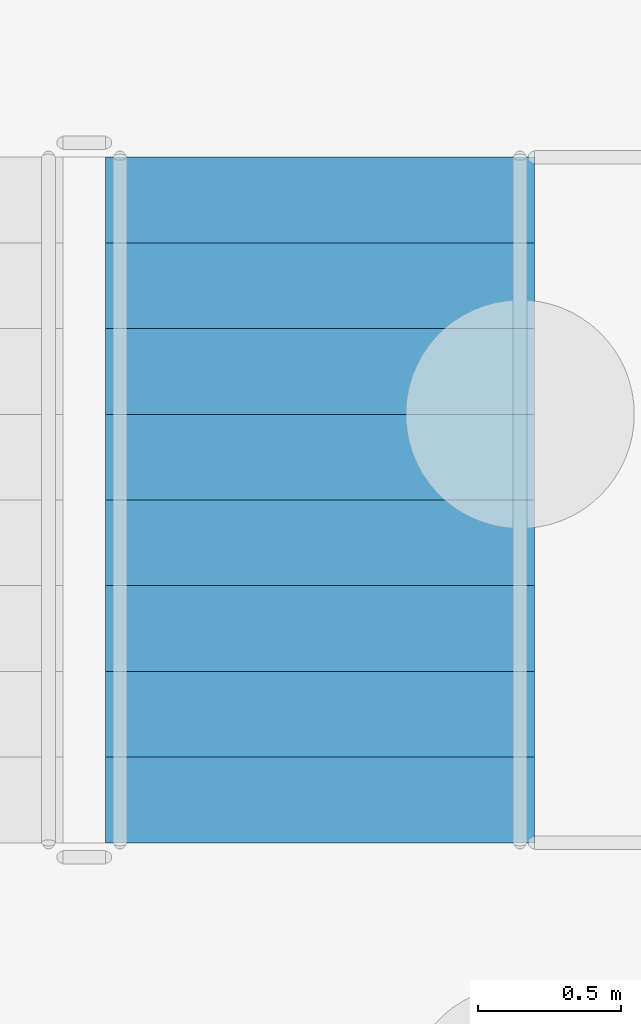
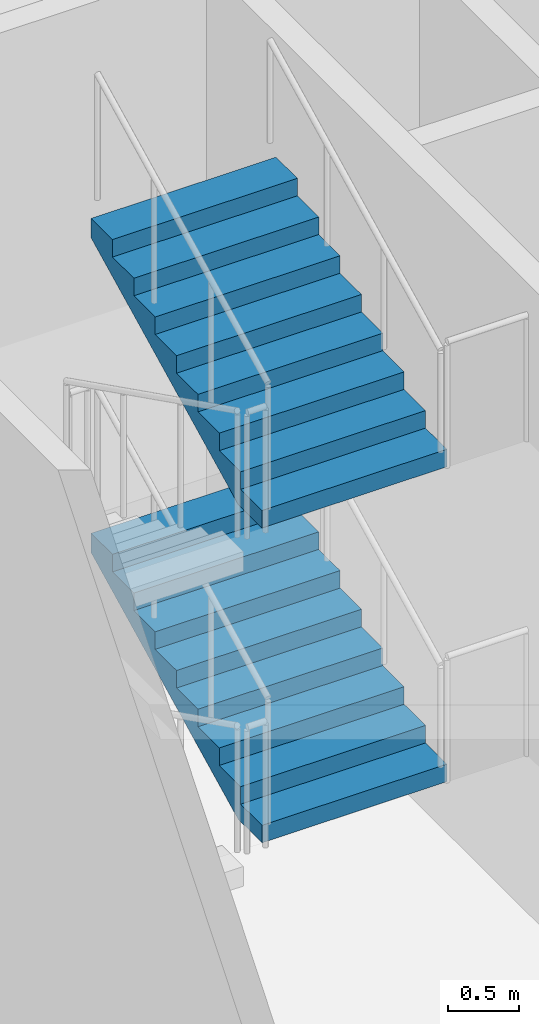
# One storey, part 61 of 129: 2 stair flights, 1 element without a shape of its own.
"""IFC4 building model written with IfcOpenShell, lengths in metres."""

from ifc_helpers import new_model, si_unit, direction, frame, origin, place, context, subcontext, project, spatial, faceted_brep, material, type_object, element, aggregate, save


model = new_model("IFC4")

# Units and contexts
model_context = context("Model", 3, precision=1e-05, world=origin(), true_north=direction((0.0, 1.0)))
body_context = subcontext(model_context, "Body", "Model", "MODEL_VIEW")
ifc_project = project(units=[si_unit("LENGTHUNIT", "METRE"), si_unit("AREAUNIT", "SQUARE_METRE"), si_unit("VOLUMEUNIT", "CUBIC_METRE"), si_unit("PLANEANGLEUNIT", "RADIAN"), si_unit("MASSUNIT", "GRAM", prefix="KILO")], contexts=[model_context])

# Site, building, storey
site_placement = place(None, origin())
site = spatial("IfcSite", under=ifc_project, at=site_placement, CompositionType="ELEMENT")
building_placement = place(site_placement, origin())
building = spatial("IfcBuilding", under=site, at=building_placement, Name="Kiln Court Media Centre", CompositionType="ELEMENT")
storey_placement = place(building_placement, origin())
storey = spatial("IfcBuildingStorey", under=building, at=storey_placement, Name="L00", CompositionType="ELEMENT", Elevation=0.0)

# Stair, stair flights
ifc_material_1 = material(Name="Concrete C40/50", Category="concrete")
stair_type = type_object("IfcStairType", Name="Concrete C40/50 dog-leg stair 1500 wide, 150 riser", PredefinedType="HALF_TURN_STAIR", material=ifc_material_1)
stair_placement = place(storey_placement, origin())
stair = element("IfcStair", 1, at=stair_placement, inside=storey, type_object=stair_type, Name="ST-01 L00", PredefinedType="HALF_TURN_STAIR")
ifc_material_2 = material(Name="Concrete C40/50", Category="concrete")
stair_flight_type = type_object("IfcStairFlightType", Name="Concrete C40/50 stair flight 1500 wide, 150 riser, 300 going", PredefinedType="STRAIGHT", material=ifc_material_2)
stair_flight_1_placement = place(storey_placement, frame((2.60009765625, 4.10009765625, 1.35009765625), z_axis=(0.0, 0.0, 1.0), x_axis=(0.0, 1.0, 0.0)))
stair_flight_1 = element("IfcStairFlight", 2, at=stair_flight_1_placement, type_object=stair_flight_type, Name="L00-ST-5000 flight 5001", NumberOfRisers=9, NumberOfTreads=8, PredefinedType="STRAIGHT", RiserHeight=0.15, TreadLength=0.3, context=body_context, shape_type="Brep", body=[
    faceted_brep([(0.335205078125, -0.75, 0.0), (2.39990234375, -0.75, 1.032470703125), (2.39990234375, -0.75, 1.199951171875), (2.10009765625, -0.75, 1.199951171875), (2.10009765625, -0.75, 1.050048828125), (1.800048828125, -0.75, 1.050048828125), (1.800048828125, -0.75, 0.89990234375), (1.5, -0.75, 0.89990234375), (1.5, -0.75, 0.75), (1.199951171875, -0.75, 0.75), (1.199951171875, -0.75, 0.60009765625), (0.89990234375, -0.75, 0.60009765625), (0.89990234375, -0.75, 0.449951171875), (0.60009765625, -0.75, 0.449951171875), (0.60009765625, -0.75, 0.300048828125), (0.300048828125, -0.75, 0.300048828125), (0.300048828125, -0.75, 0.14990234375), (0.0, -0.75, 0.14990234375), (0.0, -0.75, 0.0), (0.0, 0.75, 0.0), (0.0, 0.75, 0.14990234375), (0.300048828125, 0.75, 0.14990234375), (0.300048828125, 0.75, 0.300048828125), (0.60009765625, 0.75, 0.300048828125), (0.60009765625, 0.75, 0.449951171875), (0.89990234375, 0.75, 0.449951171875), (0.89990234375, 0.75, 0.60009765625), (1.199951171875, 0.75, 0.60009765625), (1.199951171875, 0.75, 0.75), (1.5, 0.75, 0.75), (1.5, 0.75, 0.89990234375), (1.800048828125, 0.75, 0.89990234375), (1.800048828125, 0.75, 1.050048828125), (2.10009765625, 0.75, 1.050048828125), (2.10009765625, 0.75, 1.199951171875), (2.39990234375, 0.75, 1.199951171875), (2.39990234375, 0.75, 1.032470703125), (0.335205078125, 0.75, 0.0), (2.39990234375, 0.10009765625, 1.032470703125), (0.335205078125, 0.10009765625, 0.0), (2.39990234375, 0.080078125, 1.032470703125), (0.335205078125, 0.080078125, 0.0), (2.39990234375, 0.06005859375, 1.032470703125), (0.335205078125, 0.06005859375, 0.0), (2.39990234375, 0.0400390625, 1.032470703125), (0.335205078125, 0.0400390625, 0.0), (2.39990234375, 0.02001953125, 1.032470703125), (0.335205078125, 0.02001953125, 0.0), (2.39990234375, 0.0, 1.032470703125), (0.335205078125, 0.0, 0.0), (2.39990234375, -0.02001953125, 1.032470703125), (0.335205078125, -0.02001953125, 0.0), (2.39990234375, -0.0400390625, 1.032470703125), (0.335205078125, -0.0400390625, 0.0), (2.39990234375, -0.06005859375, 1.032470703125), (0.335205078125, -0.06005859375, 0.0), (2.39990234375, -0.080078125, 1.032470703125), (0.335205078125, -0.080078125, 0.0), (2.39990234375, -0.10009765625, 1.032470703125), (0.335205078125, -0.10009765625, 0.0), (2.39990234375, 0.10009765625, 1.199951171875), (2.39990234375, 0.080078125, 1.199951171875), (2.39990234375, 0.06005859375, 1.199951171875), (2.39990234375, 0.0400390625, 1.199951171875), (2.39990234375, 0.02001953125, 1.199951171875), (2.39990234375, 0.0, 1.199951171875), (2.39990234375, -0.02001953125, 1.199951171875), (2.39990234375, -0.0400390625, 1.199951171875), (2.39990234375, -0.06005859375, 1.199951171875), (2.39990234375, -0.080078125, 1.199951171875), (2.39990234375, -0.10009765625, 1.199951171875), (2.10009765625, 0.10009765625, 1.199951171875), (2.10009765625, 0.080078125, 1.199951171875), (2.10009765625, 0.06005859375, 1.199951171875), (2.10009765625, 0.0400390625, 1.199951171875), (2.10009765625, 0.02001953125, 1.199951171875), (2.10009765625, 0.0, 1.199951171875), (2.10009765625, -0.02001953125, 1.199951171875), (2.10009765625, -0.0400390625, 1.199951171875), (2.10009765625, -0.06005859375, 1.199951171875), (2.10009765625, -0.080078125, 1.199951171875), (2.10009765625, -0.10009765625, 1.199951171875), (2.10009765625, 0.10009765625, 1.050048828125), (2.10009765625, 0.080078125, 1.050048828125), (2.10009765625, 0.06005859375, 1.050048828125), (2.10009765625, 0.0400390625, 1.050048828125), (2.10009765625, 0.02001953125, 1.050048828125), (2.10009765625, 0.0, 1.050048828125), (2.10009765625, -0.02001953125, 1.050048828125), (2.10009765625, -0.0400390625, 1.050048828125), (2.10009765625, -0.06005859375, 1.050048828125), (2.10009765625, -0.080078125, 1.050048828125), (2.10009765625, -0.10009765625, 1.050048828125), (1.800048828125, 0.10009765625, 1.050048828125), (1.800048828125, 0.080078125, 1.050048828125), (1.800048828125, 0.06005859375, 1.050048828125), (1.800048828125, 0.0400390625, 1.050048828125), (1.800048828125, 0.02001953125, 1.050048828125), (1.800048828125, 0.0, 1.050048828125), (1.800048828125, -0.02001953125, 1.050048828125), (1.800048828125, -0.0400390625, 1.050048828125), (1.800048828125, -0.06005859375, 1.050048828125), (1.800048828125, -0.080078125, 1.050048828125), (1.800048828125, -0.10009765625, 1.050048828125), (1.800048828125, 0.10009765625, 0.89990234375), (1.800048828125, 0.080078125, 0.89990234375), (1.800048828125, 0.06005859375, 0.89990234375), (1.800048828125, 0.0400390625, 0.89990234375), (1.800048828125, 0.02001953125, 0.89990234375), (1.800048828125, 0.0, 0.89990234375), (1.800048828125, -0.02001953125, 0.89990234375), (1.800048828125, -0.0400390625, 0.89990234375), (1.800048828125, -0.06005859375, 0.89990234375), (1.800048828125, -0.080078125, 0.89990234375), (1.800048828125, -0.10009765625, 0.89990234375), (1.5, 0.10009765625, 0.89990234375), (1.5, 0.080078125, 0.89990234375), (1.5, 0.06005859375, 0.89990234375), (1.5, 0.0400390625, 0.89990234375), (1.5, 0.02001953125, 0.89990234375), (1.5, 0.0, 0.89990234375), (1.5, -0.02001953125, 0.89990234375), (1.5, -0.0400390625, 0.89990234375), (1.5, -0.06005859375, 0.89990234375), (1.5, -0.080078125, 0.89990234375), (1.5, -0.10009765625, 0.89990234375), (1.5, 0.10009765625, 0.75), (1.5, 0.080078125, 0.75), (1.5, 0.06005859375, 0.75), (1.5, 0.0400390625, 0.75), (1.5, 0.02001953125, 0.75), (1.5, 0.0, 0.75), (1.5, -0.02001953125, 0.75), (1.5, -0.0400390625, 0.75), (1.5, -0.06005859375, 0.75), (1.5, -0.080078125, 0.75), (1.5, -0.10009765625, 0.75), (1.199951171875, 0.10009765625, 0.75), (1.199951171875, 0.080078125, 0.75), (1.199951171875, 0.06005859375, 0.75), (1.199951171875, 0.0400390625, 0.75), (1.199951171875, 0.02001953125, 0.75), (1.199951171875, 0.0, 0.75), (1.199951171875, -0.02001953125, 0.75), (1.199951171875, -0.0400390625, 0.75), (1.199951171875, -0.06005859375, 0.75), (1.199951171875, -0.080078125, 0.75), (1.199951171875, -0.10009765625, 0.75), (1.199951171875, 0.10009765625, 0.60009765625), (1.199951171875, 0.080078125, 0.60009765625), (1.199951171875, 0.06005859375, 0.60009765625), (1.199951171875, 0.0400390625, 0.60009765625), (1.199951171875, 0.02001953125, 0.60009765625), (1.199951171875, 0.0, 0.60009765625), (1.199951171875, -0.02001953125, 0.60009765625), (1.199951171875, -0.0400390625, 0.60009765625), (1.199951171875, -0.06005859375, 0.60009765625), (1.199951171875, -0.080078125, 0.60009765625), (1.199951171875, -0.10009765625, 0.60009765625), (0.89990234375, 0.10009765625, 0.60009765625), (0.89990234375, 0.080078125, 0.60009765625), (0.89990234375, 0.06005859375, 0.60009765625), (0.89990234375, 0.0400390625, 0.60009765625), (0.89990234375, 0.02001953125, 0.60009765625), (0.89990234375, 0.0, 0.60009765625), (0.89990234375, -0.02001953125, 0.60009765625), (0.89990234375, -0.0400390625, 0.60009765625), (0.89990234375, -0.06005859375, 0.60009765625), (0.89990234375, -0.080078125, 0.60009765625), (0.89990234375, -0.10009765625, 0.60009765625), (0.89990234375, 0.10009765625, 0.449951171875), (0.89990234375, 0.080078125, 0.449951171875), (0.89990234375, 0.06005859375, 0.449951171875), (0.89990234375, 0.0400390625, 0.449951171875), (0.89990234375, 0.02001953125, 0.449951171875), (0.89990234375, 0.0, 0.449951171875), (0.89990234375, -0.02001953125, 0.449951171875), (0.89990234375, -0.0400390625, 0.449951171875), (0.89990234375, -0.06005859375, 0.449951171875), (0.89990234375, -0.080078125, 0.449951171875), (0.89990234375, -0.10009765625, 0.449951171875), (0.60009765625, 0.10009765625, 0.449951171875), (0.60009765625, 0.080078125, 0.449951171875), (0.60009765625, 0.06005859375, 0.449951171875), (0.60009765625, 0.0400390625, 0.449951171875), (0.60009765625, 0.02001953125, 0.449951171875), (0.60009765625, 0.0, 0.449951171875), (0.60009765625, -0.02001953125, 0.449951171875), (0.60009765625, -0.0400390625, 0.449951171875), (0.60009765625, -0.06005859375, 0.449951171875), (0.60009765625, -0.080078125, 0.449951171875), (0.60009765625, -0.10009765625, 0.449951171875), (0.60009765625, 0.10009765625, 0.300048828125), (0.60009765625, 0.080078125, 0.300048828125), (0.60009765625, 0.06005859375, 0.300048828125), (0.60009765625, 0.0400390625, 0.300048828125), (0.60009765625, 0.02001953125, 0.300048828125), (0.60009765625, 0.0, 0.300048828125), (0.60009765625, -0.02001953125, 0.300048828125), (0.60009765625, -0.0400390625, 0.300048828125), (0.60009765625, -0.06005859375, 0.300048828125), (0.60009765625, -0.080078125, 0.300048828125), (0.60009765625, -0.10009765625, 0.300048828125), (0.300048828125, 0.10009765625, 0.300048828125), (0.300048828125, 0.080078125, 0.300048828125), (0.300048828125, 0.06005859375, 0.300048828125), (0.300048828125, 0.0400390625, 0.300048828125), (0.300048828125, 0.02001953125, 0.300048828125), (0.300048828125, 0.0, 0.300048828125), (0.300048828125, -0.02001953125, 0.300048828125), (0.300048828125, -0.0400390625, 0.300048828125), (0.300048828125, -0.06005859375, 0.300048828125), (0.300048828125, -0.080078125, 0.300048828125), (0.300048828125, -0.10009765625, 0.300048828125), (0.300048828125, 0.10009765625, 0.14990234375), (0.300048828125, 0.080078125, 0.14990234375), (0.300048828125, 0.06005859375, 0.14990234375), (0.300048828125, 0.0400390625, 0.14990234375), (0.300048828125, 0.02001953125, 0.14990234375), (0.300048828125, 0.0, 0.14990234375), (0.300048828125, -0.02001953125, 0.14990234375), (0.300048828125, -0.0400390625, 0.14990234375), (0.300048828125, -0.06005859375, 0.14990234375), (0.300048828125, -0.080078125, 0.14990234375), (0.300048828125, -0.10009765625, 0.14990234375), (0.0, 0.10009765625, 0.14990234375), (0.0, 0.080078125, 0.14990234375), (0.0, 0.06005859375, 0.14990234375), (0.0, 0.0400390625, 0.14990234375), (0.0, 0.02001953125, 0.14990234375), (0.0, 0.0, 0.14990234375), (0.0, -0.02001953125, 0.14990234375), (0.0, -0.0400390625, 0.14990234375), (0.0, -0.06005859375, 0.14990234375), (0.0, -0.080078125, 0.14990234375), (0.0, -0.10009765625, 0.14990234375), (0.0, 0.10009765625, 0.0), (0.0, 0.080078125, 0.0), (0.0, 0.06005859375, 0.0), (0.0, 0.0400390625, 0.0), (0.0, 0.02001953125, 0.0), (0.0, 0.0, 0.0), (0.0, -0.02001953125, 0.0), (0.0, -0.0400390625, 0.0), (0.0, -0.06005859375, 0.0), (0.0, -0.080078125, 0.0), (0.0, -0.10009765625, 0.0)], [[[0, 1, 2, 3, 4, 5, 6, 7, 8, 9, 10, 11, 12, 13, 14, 15, 16, 17, 18]], [[19, 20, 21, 22, 23, 24, 25, 26, 27, 28, 29, 30, 31, 32, 33, 34, 35, 36, 37]], [[37, 36, 38, 39]], [[39, 38, 40, 41]], [[41, 40, 42, 43]], [[43, 42, 44, 45]], [[45, 44, 46, 47]], [[47, 46, 48, 49]], [[49, 48, 50, 51]], [[51, 50, 52, 53]], [[53, 52, 54, 55]], [[55, 54, 56, 57]], [[57, 56, 58, 59]], [[59, 58, 1, 0]], [[36, 35, 60, 38]], [[38, 60, 61, 40]], [[40, 61, 62, 42]], [[42, 62, 63, 44]], [[44, 63, 64, 46]], [[46, 64, 65, 48]], [[48, 65, 66, 50]], [[50, 66, 67, 52]], [[52, 67, 68, 54]], [[54, 68, 69, 56]], [[56, 69, 70, 58]], [[58, 70, 2, 1]], [[35, 34, 71, 60]], [[60, 71, 72, 61]], [[61, 72, 73, 62]], [[62, 73, 74, 63]], [[63, 74, 75, 64]], [[64, 75, 76, 65]], [[65, 76, 77, 66]], [[66, 77, 78, 67]], [[67, 78, 79, 68]], [[68, 79, 80, 69]], [[69, 80, 81, 70]], [[70, 81, 3, 2]], [[34, 33, 82, 71]], [[71, 82, 83, 72]], [[72, 83, 84, 73]], [[73, 84, 85, 74]], [[74, 85, 86, 75]], [[75, 86, 87, 76]], [[76, 87, 88, 77]], [[77, 88, 89, 78]], [[78, 89, 90, 79]], [[79, 90, 91, 80]], [[80, 91, 92, 81]], [[81, 92, 4, 3]], [[33, 32, 93, 82]], [[82, 93, 94, 83]], [[83, 94, 95, 84]], [[84, 95, 96, 85]], [[85, 96, 97, 86]], [[86, 97, 98, 87]], [[87, 98, 99, 88]], [[88, 99, 100, 89]], [[89, 100, 101, 90]], [[90, 101, 102, 91]], [[91, 102, 103, 92]], [[92, 103, 5, 4]], [[32, 31, 104, 93]], [[93, 104, 105, 94]], [[94, 105, 106, 95]], [[95, 106, 107, 96]], [[96, 107, 108, 97]], [[97, 108, 109, 98]], [[98, 109, 110, 99]], [[99, 110, 111, 100]], [[100, 111, 112, 101]], [[101, 112, 113, 102]], [[102, 113, 114, 103]], [[103, 114, 6, 5]], [[31, 30, 115, 104]], [[104, 115, 116, 105]], [[105, 116, 117, 106]], [[106, 117, 118, 107]], [[107, 118, 119, 108]], [[108, 119, 120, 109]], [[109, 120, 121, 110]], [[110, 121, 122, 111]], [[111, 122, 123, 112]], [[112, 123, 124, 113]], [[113, 124, 125, 114]], [[114, 125, 7, 6]], [[30, 29, 126, 115]], [[115, 126, 127, 116]], [[116, 127, 128, 117]], [[117, 128, 129, 118]], [[118, 129, 130, 119]], [[119, 130, 131, 120]], [[120, 131, 132, 121]], [[121, 132, 133, 122]], [[122, 133, 134, 123]], [[123, 134, 135, 124]], [[124, 135, 136, 125]], [[125, 136, 8, 7]], [[29, 28, 137, 126]], [[126, 137, 138, 127]], [[127, 138, 139, 128]], [[128, 139, 140, 129]], [[129, 140, 141, 130]], [[130, 141, 142, 131]], [[131, 142, 143, 132]], [[132, 143, 144, 133]], [[133, 144, 145, 134]], [[134, 145, 146, 135]], [[135, 146, 147, 136]], [[136, 147, 9, 8]], [[28, 27, 148, 137]], [[137, 148, 149, 138]], [[138, 149, 150, 139]], [[139, 150, 151, 140]], [[140, 151, 152, 141]], [[141, 152, 153, 142]], [[142, 153, 154, 143]], [[143, 154, 155, 144]], [[144, 155, 156, 145]], [[145, 156, 157, 146]], [[146, 157, 158, 147]], [[147, 158, 10, 9]], [[27, 26, 159, 148]], [[148, 159, 160, 149]], [[149, 160, 161, 150]], [[150, 161, 162, 151]], [[151, 162, 163, 152]], [[152, 163, 164, 153]], [[153, 164, 165, 154]], [[154, 165, 166, 155]], [[155, 166, 167, 156]], [[156, 167, 168, 157]], [[157, 168, 169, 158]], [[158, 169, 11, 10]], [[26, 25, 170, 159]], [[159, 170, 171, 160]], [[160, 171, 172, 161]], [[161, 172, 173, 162]], [[162, 173, 174, 163]], [[163, 174, 175, 164]], [[164, 175, 176, 165]], [[165, 176, 177, 166]], [[166, 177, 178, 167]], [[167, 178, 179, 168]], [[168, 179, 180, 169]], [[169, 180, 12, 11]], [[25, 24, 181, 170]], [[170, 181, 182, 171]], [[171, 182, 183, 172]], [[172, 183, 184, 173]], [[173, 184, 185, 174]], [[174, 185, 186, 175]], [[175, 186, 187, 176]], [[176, 187, 188, 177]], [[177, 188, 189, 178]], [[178, 189, 190, 179]], [[179, 190, 191, 180]], [[180, 191, 13, 12]], [[24, 23, 192, 181]], [[181, 192, 193, 182]], [[182, 193, 194, 183]], [[183, 194, 195, 184]], [[184, 195, 196, 185]], [[185, 196, 197, 186]], [[186, 197, 198, 187]], [[187, 198, 199, 188]], [[188, 199, 200, 189]], [[189, 200, 201, 190]], [[190, 201, 202, 191]], [[191, 202, 14, 13]], [[23, 22, 203, 192]], [[192, 203, 204, 193]], [[193, 204, 205, 194]], [[194, 205, 206, 195]], [[195, 206, 207, 196]], [[196, 207, 208, 197]], [[197, 208, 209, 198]], [[198, 209, 210, 199]], [[199, 210, 211, 200]], [[200, 211, 212, 201]], [[201, 212, 213, 202]], [[202, 213, 15, 14]], [[22, 21, 214, 203]], [[203, 214, 215, 204]], [[204, 215, 216, 205]], [[205, 216, 217, 206]], [[206, 217, 218, 207]], [[207, 218, 219, 208]], [[208, 219, 220, 209]], [[209, 220, 221, 210]], [[210, 221, 222, 211]], [[211, 222, 223, 212]], [[212, 223, 224, 213]], [[213, 224, 16, 15]], [[21, 20, 225, 214]], [[214, 225, 226, 215]], [[215, 226, 227, 216]], [[216, 227, 228, 217]], [[217, 228, 229, 218]], [[218, 229, 230, 219]], [[219, 230, 231, 220]], [[220, 231, 232, 221]], [[221, 232, 233, 222]], [[222, 233, 234, 223]], [[223, 234, 235, 224]], [[224, 235, 17, 16]], [[20, 19, 236, 225]], [[225, 236, 237, 226]], [[226, 237, 238, 227]], [[227, 238, 239, 228]], [[228, 239, 240, 229]], [[229, 240, 241, 230]], [[230, 241, 242, 231]], [[231, 242, 243, 232]], [[232, 243, 244, 233]], [[233, 244, 245, 234]], [[234, 245, 246, 235]], [[235, 246, 18, 17]], [[19, 37, 39, 236]], [[236, 39, 41, 237]], [[237, 41, 43, 238]], [[238, 43, 45, 239]], [[239, 45, 47, 240]], [[240, 47, 49, 241]], [[241, 49, 51, 242]], [[242, 51, 53, 243]], [[243, 53, 55, 244]], [[244, 55, 57, 245]], [[245, 57, 59, 246]], [[246, 59, 0, 18]]]),
])
stair_flight_2_placement = place(storey_placement, frame((2.60009765625, 4.10009765625, 4.050048828125), z_axis=(0.0, 0.0, 1.0), x_axis=(0.0, 1.0, 0.0)))
stair_flight_2 = element("IfcStairFlight", 3, at=stair_flight_2_placement, type_object=stair_flight_type, Name="L00-ST-5000 flight 5003", NumberOfRisers=9, NumberOfTreads=8, PredefinedType="STRAIGHT", RiserHeight=0.15, TreadLength=0.3, context=body_context, shape_type="Brep", body=[
    faceted_brep([(0.335205078125, -0.75, 0.0), (2.39990234375, -0.75, 1.032470703125), (2.39990234375, -0.75, 1.199951171875), (2.10009765625, -0.75, 1.199951171875), (2.10009765625, -0.75, 1.050048828125), (1.800048828125, -0.75, 1.050048828125), (1.800048828125, -0.75, 0.89990234375), (1.5, -0.75, 0.89990234375), (1.5, -0.75, 0.75), (1.199951171875, -0.75, 0.75), (1.199951171875, -0.75, 0.60009765625), (0.89990234375, -0.75, 0.60009765625), (0.89990234375, -0.75, 0.449951171875), (0.60009765625, -0.75, 0.449951171875), (0.60009765625, -0.75, 0.300048828125), (0.300048828125, -0.75, 0.300048828125), (0.300048828125, -0.75, 0.14990234375), (0.0, -0.75, 0.14990234375), (0.0, -0.75, 0.0), (0.0, 0.75, 0.0), (0.0, 0.75, 0.14990234375), (0.300048828125, 0.75, 0.14990234375), (0.300048828125, 0.75, 0.300048828125), (0.60009765625, 0.75, 0.300048828125), (0.60009765625, 0.75, 0.449951171875), (0.89990234375, 0.75, 0.449951171875), (0.89990234375, 0.75, 0.60009765625), (1.199951171875, 0.75, 0.60009765625), (1.199951171875, 0.75, 0.75), (1.5, 0.75, 0.75), (1.5, 0.75, 0.89990234375), (1.800048828125, 0.75, 0.89990234375), (1.800048828125, 0.75, 1.050048828125), (2.10009765625, 0.75, 1.050048828125), (2.10009765625, 0.75, 1.199951171875), (2.39990234375, 0.75, 1.199951171875), (2.39990234375, 0.75, 1.032470703125), (0.335205078125, 0.75, 0.0), (2.39990234375, 0.10009765625, 1.032470703125), (0.335205078125, 0.10009765625, 0.0), (2.39990234375, 0.080078125, 1.032470703125), (0.335205078125, 0.080078125, 0.0), (2.39990234375, 0.06005859375, 1.032470703125), (0.335205078125, 0.06005859375, 0.0), (2.39990234375, 0.0400390625, 1.032470703125), (0.335205078125, 0.0400390625, 0.0), (2.39990234375, 0.02001953125, 1.032470703125), (0.335205078125, 0.02001953125, 0.0), (2.39990234375, 0.0, 1.032470703125), (0.335205078125, 0.0, 0.0), (2.39990234375, -0.02001953125, 1.032470703125), (0.335205078125, -0.02001953125, 0.0), (2.39990234375, -0.0400390625, 1.032470703125), (0.335205078125, -0.0400390625, 0.0), (2.39990234375, -0.06005859375, 1.032470703125), (0.335205078125, -0.06005859375, 0.0), (2.39990234375, -0.080078125, 1.032470703125), (0.335205078125, -0.080078125, 0.0), (2.39990234375, -0.10009765625, 1.032470703125), (0.335205078125, -0.10009765625, 0.0), (2.39990234375, 0.10009765625, 1.199951171875), (2.39990234375, 0.080078125, 1.199951171875), (2.39990234375, 0.06005859375, 1.199951171875), (2.39990234375, 0.0400390625, 1.199951171875), (2.39990234375, 0.02001953125, 1.199951171875), (2.39990234375, 0.0, 1.199951171875), (2.39990234375, -0.02001953125, 1.199951171875), (2.39990234375, -0.0400390625, 1.199951171875), (2.39990234375, -0.06005859375, 1.199951171875), (2.39990234375, -0.080078125, 1.199951171875), (2.39990234375, -0.10009765625, 1.199951171875), (2.10009765625, 0.10009765625, 1.199951171875), (2.10009765625, 0.080078125, 1.199951171875), (2.10009765625, 0.06005859375, 1.199951171875), (2.10009765625, 0.0400390625, 1.199951171875), (2.10009765625, 0.02001953125, 1.199951171875), (2.10009765625, 0.0, 1.199951171875), (2.10009765625, -0.02001953125, 1.199951171875), (2.10009765625, -0.0400390625, 1.199951171875), (2.10009765625, -0.06005859375, 1.199951171875), (2.10009765625, -0.080078125, 1.199951171875), (2.10009765625, -0.10009765625, 1.199951171875), (2.10009765625, 0.10009765625, 1.050048828125), (2.10009765625, 0.080078125, 1.050048828125), (2.10009765625, 0.06005859375, 1.050048828125), (2.10009765625, 0.0400390625, 1.050048828125), (2.10009765625, 0.02001953125, 1.050048828125), (2.10009765625, 0.0, 1.050048828125), (2.10009765625, -0.02001953125, 1.050048828125), (2.10009765625, -0.0400390625, 1.050048828125), (2.10009765625, -0.06005859375, 1.050048828125), (2.10009765625, -0.080078125, 1.050048828125), (2.10009765625, -0.10009765625, 1.050048828125), (1.800048828125, 0.10009765625, 1.050048828125), (1.800048828125, 0.080078125, 1.050048828125), (1.800048828125, 0.06005859375, 1.050048828125), (1.800048828125, 0.0400390625, 1.050048828125), (1.800048828125, 0.02001953125, 1.050048828125), (1.800048828125, 0.0, 1.050048828125), (1.800048828125, -0.02001953125, 1.050048828125), (1.800048828125, -0.0400390625, 1.050048828125), (1.800048828125, -0.06005859375, 1.050048828125), (1.800048828125, -0.080078125, 1.050048828125), (1.800048828125, -0.10009765625, 1.050048828125), (1.800048828125, 0.10009765625, 0.89990234375), (1.800048828125, 0.080078125, 0.89990234375), (1.800048828125, 0.06005859375, 0.89990234375), (1.800048828125, 0.0400390625, 0.89990234375), (1.800048828125, 0.02001953125, 0.89990234375), (1.800048828125, 0.0, 0.89990234375), (1.800048828125, -0.02001953125, 0.89990234375), (1.800048828125, -0.0400390625, 0.89990234375), (1.800048828125, -0.06005859375, 0.89990234375), (1.800048828125, -0.080078125, 0.89990234375), (1.800048828125, -0.10009765625, 0.89990234375), (1.5, 0.10009765625, 0.89990234375), (1.5, 0.080078125, 0.89990234375), (1.5, 0.06005859375, 0.89990234375), (1.5, 0.0400390625, 0.89990234375), (1.5, 0.02001953125, 0.89990234375), (1.5, 0.0, 0.89990234375), (1.5, -0.02001953125, 0.89990234375), (1.5, -0.0400390625, 0.89990234375), (1.5, -0.06005859375, 0.89990234375), (1.5, -0.080078125, 0.89990234375), (1.5, -0.10009765625, 0.89990234375), (1.5, 0.10009765625, 0.75), (1.5, 0.080078125, 0.75), (1.5, 0.06005859375, 0.75), (1.5, 0.0400390625, 0.75), (1.5, 0.02001953125, 0.75), (1.5, 0.0, 0.75), (1.5, -0.02001953125, 0.75), (1.5, -0.0400390625, 0.75), (1.5, -0.06005859375, 0.75), (1.5, -0.080078125, 0.75), (1.5, -0.10009765625, 0.75), (1.199951171875, 0.10009765625, 0.75), (1.199951171875, 0.080078125, 0.75), (1.199951171875, 0.06005859375, 0.75), (1.199951171875, 0.0400390625, 0.75), (1.199951171875, 0.02001953125, 0.75), (1.199951171875, 0.0, 0.75), (1.199951171875, -0.02001953125, 0.75), (1.199951171875, -0.0400390625, 0.75), (1.199951171875, -0.06005859375, 0.75), (1.199951171875, -0.080078125, 0.75), (1.199951171875, -0.10009765625, 0.75), (1.199951171875, 0.10009765625, 0.60009765625), (1.199951171875, 0.080078125, 0.60009765625), (1.199951171875, 0.06005859375, 0.60009765625), (1.199951171875, 0.0400390625, 0.60009765625), (1.199951171875, 0.02001953125, 0.60009765625), (1.199951171875, 0.0, 0.60009765625), (1.199951171875, -0.02001953125, 0.60009765625), (1.199951171875, -0.0400390625, 0.60009765625), (1.199951171875, -0.06005859375, 0.60009765625), (1.199951171875, -0.080078125, 0.60009765625), (1.199951171875, -0.10009765625, 0.60009765625), (0.89990234375, 0.10009765625, 0.60009765625), (0.89990234375, 0.080078125, 0.60009765625), (0.89990234375, 0.06005859375, 0.60009765625), (0.89990234375, 0.0400390625, 0.60009765625), (0.89990234375, 0.02001953125, 0.60009765625), (0.89990234375, 0.0, 0.60009765625), (0.89990234375, -0.02001953125, 0.60009765625), (0.89990234375, -0.0400390625, 0.60009765625), (0.89990234375, -0.06005859375, 0.60009765625), (0.89990234375, -0.080078125, 0.60009765625), (0.89990234375, -0.10009765625, 0.60009765625), (0.89990234375, 0.10009765625, 0.449951171875), (0.89990234375, 0.080078125, 0.449951171875), (0.89990234375, 0.06005859375, 0.449951171875), (0.89990234375, 0.0400390625, 0.449951171875), (0.89990234375, 0.02001953125, 0.449951171875), (0.89990234375, 0.0, 0.449951171875), (0.89990234375, -0.02001953125, 0.449951171875), (0.89990234375, -0.0400390625, 0.449951171875), (0.89990234375, -0.06005859375, 0.449951171875), (0.89990234375, -0.080078125, 0.449951171875), (0.89990234375, -0.10009765625, 0.449951171875), (0.60009765625, 0.10009765625, 0.449951171875), (0.60009765625, 0.080078125, 0.449951171875), (0.60009765625, 0.06005859375, 0.449951171875), (0.60009765625, 0.0400390625, 0.449951171875), (0.60009765625, 0.02001953125, 0.449951171875), (0.60009765625, 0.0, 0.449951171875), (0.60009765625, -0.02001953125, 0.449951171875), (0.60009765625, -0.0400390625, 0.449951171875), (0.60009765625, -0.06005859375, 0.449951171875), (0.60009765625, -0.080078125, 0.449951171875), (0.60009765625, -0.10009765625, 0.449951171875), (0.60009765625, 0.10009765625, 0.300048828125), (0.60009765625, 0.080078125, 0.300048828125), (0.60009765625, 0.06005859375, 0.300048828125), (0.60009765625, 0.0400390625, 0.300048828125), (0.60009765625, 0.02001953125, 0.300048828125), (0.60009765625, 0.0, 0.300048828125), (0.60009765625, -0.02001953125, 0.300048828125), (0.60009765625, -0.0400390625, 0.300048828125), (0.60009765625, -0.06005859375, 0.300048828125), (0.60009765625, -0.080078125, 0.300048828125), (0.60009765625, -0.10009765625, 0.300048828125), (0.300048828125, 0.10009765625, 0.300048828125), (0.300048828125, 0.080078125, 0.300048828125), (0.300048828125, 0.06005859375, 0.300048828125), (0.300048828125, 0.0400390625, 0.300048828125), (0.300048828125, 0.02001953125, 0.300048828125), (0.300048828125, 0.0, 0.300048828125), (0.300048828125, -0.02001953125, 0.300048828125), (0.300048828125, -0.0400390625, 0.300048828125), (0.300048828125, -0.06005859375, 0.300048828125), (0.300048828125, -0.080078125, 0.300048828125), (0.300048828125, -0.10009765625, 0.300048828125), (0.300048828125, 0.10009765625, 0.14990234375), (0.300048828125, 0.080078125, 0.14990234375), (0.300048828125, 0.06005859375, 0.14990234375), (0.300048828125, 0.0400390625, 0.14990234375), (0.300048828125, 0.02001953125, 0.14990234375), (0.300048828125, 0.0, 0.14990234375), (0.300048828125, -0.02001953125, 0.14990234375), (0.300048828125, -0.0400390625, 0.14990234375), (0.300048828125, -0.06005859375, 0.14990234375), (0.300048828125, -0.080078125, 0.14990234375), (0.300048828125, -0.10009765625, 0.14990234375), (0.0, 0.10009765625, 0.14990234375), (0.0, 0.080078125, 0.14990234375), (0.0, 0.06005859375, 0.14990234375), (0.0, 0.0400390625, 0.14990234375), (0.0, 0.02001953125, 0.14990234375), (0.0, 0.0, 0.14990234375), (0.0, -0.02001953125, 0.14990234375), (0.0, -0.0400390625, 0.14990234375), (0.0, -0.06005859375, 0.14990234375), (0.0, -0.080078125, 0.14990234375), (0.0, -0.10009765625, 0.14990234375), (0.0, 0.10009765625, 0.0), (0.0, 0.080078125, 0.0), (0.0, 0.06005859375, 0.0), (0.0, 0.0400390625, 0.0), (0.0, 0.02001953125, 0.0), (0.0, 0.0, 0.0), (0.0, -0.02001953125, 0.0), (0.0, -0.0400390625, 0.0), (0.0, -0.06005859375, 0.0), (0.0, -0.080078125, 0.0), (0.0, -0.10009765625, 0.0)], [[[0, 1, 2, 3, 4, 5, 6, 7, 8, 9, 10, 11, 12, 13, 14, 15, 16, 17, 18]], [[19, 20, 21, 22, 23, 24, 25, 26, 27, 28, 29, 30, 31, 32, 33, 34, 35, 36, 37]], [[37, 36, 38, 39]], [[39, 38, 40, 41]], [[41, 40, 42, 43]], [[43, 42, 44, 45]], [[45, 44, 46, 47]], [[47, 46, 48, 49]], [[49, 48, 50, 51]], [[51, 50, 52, 53]], [[53, 52, 54, 55]], [[55, 54, 56, 57]], [[57, 56, 58, 59]], [[59, 58, 1, 0]], [[36, 35, 60, 38]], [[38, 60, 61, 40]], [[40, 61, 62, 42]], [[42, 62, 63, 44]], [[44, 63, 64, 46]], [[46, 64, 65, 48]], [[48, 65, 66, 50]], [[50, 66, 67, 52]], [[52, 67, 68, 54]], [[54, 68, 69, 56]], [[56, 69, 70, 58]], [[58, 70, 2, 1]], [[35, 34, 71, 60]], [[60, 71, 72, 61]], [[61, 72, 73, 62]], [[62, 73, 74, 63]], [[63, 74, 75, 64]], [[64, 75, 76, 65]], [[65, 76, 77, 66]], [[66, 77, 78, 67]], [[67, 78, 79, 68]], [[68, 79, 80, 69]], [[69, 80, 81, 70]], [[70, 81, 3, 2]], [[34, 33, 82, 71]], [[71, 82, 83, 72]], [[72, 83, 84, 73]], [[73, 84, 85, 74]], [[74, 85, 86, 75]], [[75, 86, 87, 76]], [[76, 87, 88, 77]], [[77, 88, 89, 78]], [[78, 89, 90, 79]], [[79, 90, 91, 80]], [[80, 91, 92, 81]], [[81, 92, 4, 3]], [[33, 32, 93, 82]], [[82, 93, 94, 83]], [[83, 94, 95, 84]], [[84, 95, 96, 85]], [[85, 96, 97, 86]], [[86, 97, 98, 87]], [[87, 98, 99, 88]], [[88, 99, 100, 89]], [[89, 100, 101, 90]], [[90, 101, 102, 91]], [[91, 102, 103, 92]], [[92, 103, 5, 4]], [[32, 31, 104, 93]], [[93, 104, 105, 94]], [[94, 105, 106, 95]], [[95, 106, 107, 96]], [[96, 107, 108, 97]], [[97, 108, 109, 98]], [[98, 109, 110, 99]], [[99, 110, 111, 100]], [[100, 111, 112, 101]], [[101, 112, 113, 102]], [[102, 113, 114, 103]], [[103, 114, 6, 5]], [[31, 30, 115, 104]], [[104, 115, 116, 105]], [[105, 116, 117, 106]], [[106, 117, 118, 107]], [[107, 118, 119, 108]], [[108, 119, 120, 109]], [[109, 120, 121, 110]], [[110, 121, 122, 111]], [[111, 122, 123, 112]], [[112, 123, 124, 113]], [[113, 124, 125, 114]], [[114, 125, 7, 6]], [[30, 29, 126, 115]], [[115, 126, 127, 116]], [[116, 127, 128, 117]], [[117, 128, 129, 118]], [[118, 129, 130, 119]], [[119, 130, 131, 120]], [[120, 131, 132, 121]], [[121, 132, 133, 122]], [[122, 133, 134, 123]], [[123, 134, 135, 124]], [[124, 135, 136, 125]], [[125, 136, 8, 7]], [[29, 28, 137, 126]], [[126, 137, 138, 127]], [[127, 138, 139, 128]], [[128, 139, 140, 129]], [[129, 140, 141, 130]], [[130, 141, 142, 131]], [[131, 142, 143, 132]], [[132, 143, 144, 133]], [[133, 144, 145, 134]], [[134, 145, 146, 135]], [[135, 146, 147, 136]], [[136, 147, 9, 8]], [[28, 27, 148, 137]], [[137, 148, 149, 138]], [[138, 149, 150, 139]], [[139, 150, 151, 140]], [[140, 151, 152, 141]], [[141, 152, 153, 142]], [[142, 153, 154, 143]], [[143, 154, 155, 144]], [[144, 155, 156, 145]], [[145, 156, 157, 146]], [[146, 157, 158, 147]], [[147, 158, 10, 9]], [[27, 26, 159, 148]], [[148, 159, 160, 149]], [[149, 160, 161, 150]], [[150, 161, 162, 151]], [[151, 162, 163, 152]], [[152, 163, 164, 153]], [[153, 164, 165, 154]], [[154, 165, 166, 155]], [[155, 166, 167, 156]], [[156, 167, 168, 157]], [[157, 168, 169, 158]], [[158, 169, 11, 10]], [[26, 25, 170, 159]], [[159, 170, 171, 160]], [[160, 171, 172, 161]], [[161, 172, 173, 162]], [[162, 173, 174, 163]], [[163, 174, 175, 164]], [[164, 175, 176, 165]], [[165, 176, 177, 166]], [[166, 177, 178, 167]], [[167, 178, 179, 168]], [[168, 179, 180, 169]], [[169, 180, 12, 11]], [[25, 24, 181, 170]], [[170, 181, 182, 171]], [[171, 182, 183, 172]], [[172, 183, 184, 173]], [[173, 184, 185, 174]], [[174, 185, 186, 175]], [[175, 186, 187, 176]], [[176, 187, 188, 177]], [[177, 188, 189, 178]], [[178, 189, 190, 179]], [[179, 190, 191, 180]], [[180, 191, 13, 12]], [[24, 23, 192, 181]], [[181, 192, 193, 182]], [[182, 193, 194, 183]], [[183, 194, 195, 184]], [[184, 195, 196, 185]], [[185, 196, 197, 186]], [[186, 197, 198, 187]], [[187, 198, 199, 188]], [[188, 199, 200, 189]], [[189, 200, 201, 190]], [[190, 201, 202, 191]], [[191, 202, 14, 13]], [[23, 22, 203, 192]], [[192, 203, 204, 193]], [[193, 204, 205, 194]], [[194, 205, 206, 195]], [[195, 206, 207, 196]], [[196, 207, 208, 197]], [[197, 208, 209, 198]], [[198, 209, 210, 199]], [[199, 210, 211, 200]], [[200, 211, 212, 201]], [[201, 212, 213, 202]], [[202, 213, 15, 14]], [[22, 21, 214, 203]], [[203, 214, 215, 204]], [[204, 215, 216, 205]], [[205, 216, 217, 206]], [[206, 217, 218, 207]], [[207, 218, 219, 208]], [[208, 219, 220, 209]], [[209, 220, 221, 210]], [[210, 221, 222, 211]], [[211, 222, 223, 212]], [[212, 223, 224, 213]], [[213, 224, 16, 15]], [[21, 20, 225, 214]], [[214, 225, 226, 215]], [[215, 226, 227, 216]], [[216, 227, 228, 217]], [[217, 228, 229, 218]], [[218, 229, 230, 219]], [[219, 230, 231, 220]], [[220, 231, 232, 221]], [[221, 232, 233, 222]], [[222, 233, 234, 223]], [[223, 234, 235, 224]], [[224, 235, 17, 16]], [[20, 19, 236, 225]], [[225, 236, 237, 226]], [[226, 237, 238, 227]], [[227, 238, 239, 228]], [[228, 239, 240, 229]], [[229, 240, 241, 230]], [[230, 241, 242, 231]], [[231, 242, 243, 232]], [[232, 243, 244, 233]], [[233, 244, 245, 234]], [[234, 245, 246, 235]], [[235, 246, 18, 17]], [[19, 37, 39, 236]], [[236, 39, 41, 237]], [[237, 41, 43, 238]], [[238, 43, 45, 239]], [[239, 45, 47, 240]], [[240, 47, 49, 241]], [[241, 49, 51, 242]], [[242, 51, 53, 243]], [[243, 53, 55, 244]], [[244, 55, 57, 245]], [[245, 57, 59, 246]], [[246, 59, 0, 18]]]),
])
aggregate(stair, [stair_flight_1, stair_flight_2])

save(model, "model.ifc")
